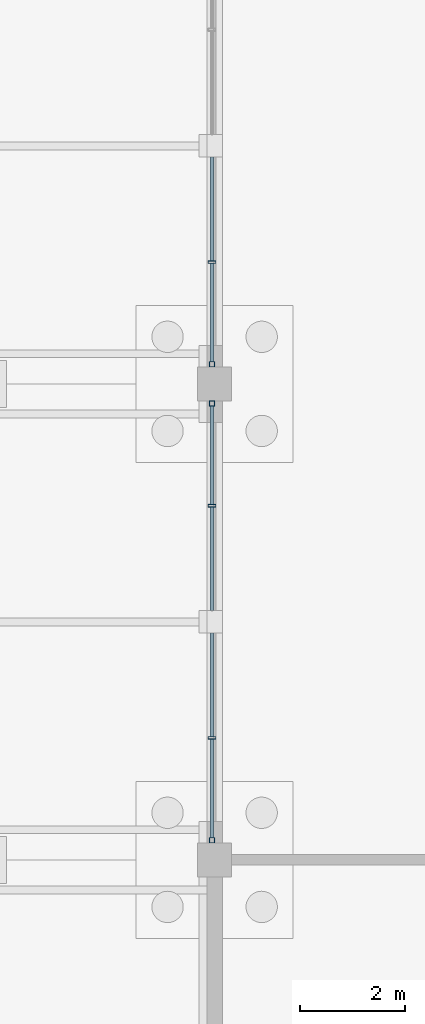
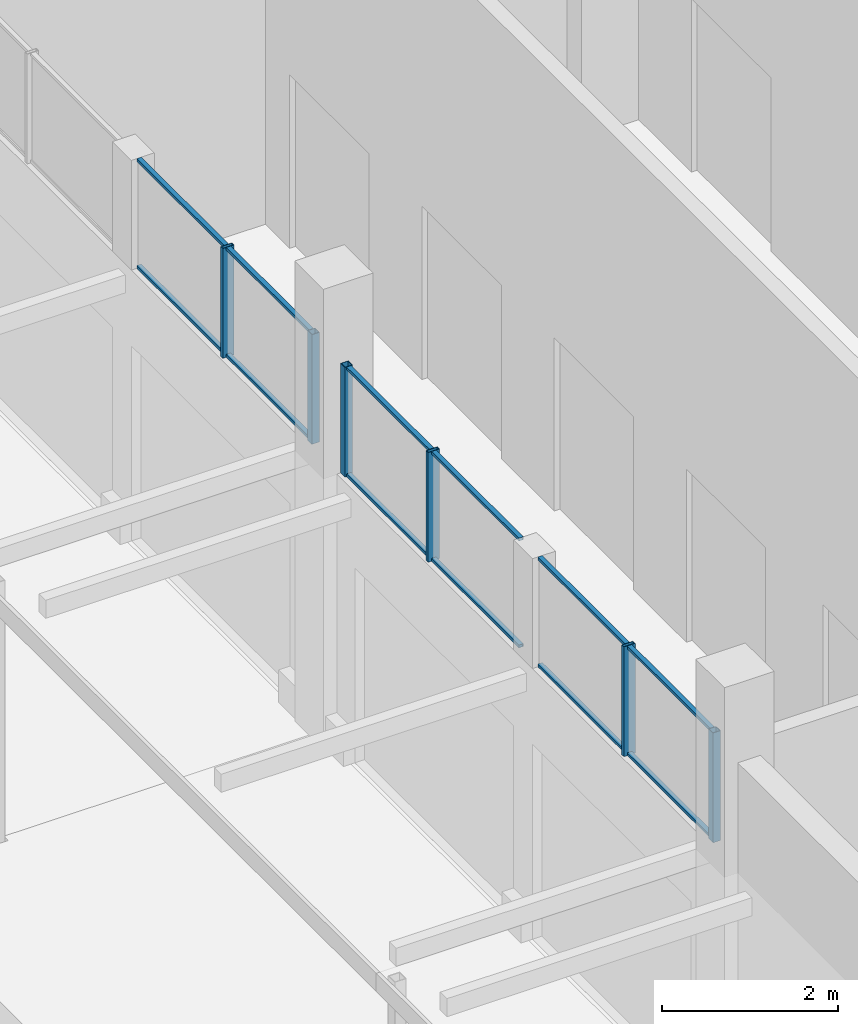
# One storey, part 49 of 129: 18 members, 3 elements without a shape of their own.
"""IFC4 building model written with IfcOpenShell, lengths in metres."""

from ifc_helpers import new_model, si_unit, direction, frame, origin, origin_2d, place, context, subcontext, project, spatial, hollow_rectangle, extrude, material, layer, layer_set, material_profile, profile_set, type_object, element, aggregate, save


model = new_model("IFC4")

# Units and contexts
model_context = context("Model", 3, precision=1e-05, world=origin(), true_north=direction((0.0, 1.0)))
body_context = subcontext(model_context, "Body", "Model", "MODEL_VIEW")
ifc_project = project(units=[si_unit("LENGTHUNIT", "METRE"), si_unit("AREAUNIT", "SQUARE_METRE"), si_unit("VOLUMEUNIT", "CUBIC_METRE"), si_unit("PLANEANGLEUNIT", "RADIAN"), si_unit("MASSUNIT", "GRAM", prefix="KILO")], contexts=[model_context])

# Site, building, storey
site_placement = place(None, origin())
site = spatial("IfcSite", under=ifc_project, at=site_placement, CompositionType="ELEMENT")
building_placement = place(site_placement, origin())
building = spatial("IfcBuilding", under=site, at=building_placement, Name="Shirokan Park Arena", CompositionType="ELEMENT")
storey_placement = place(building_placement, origin())
storey = spatial("IfcBuildingStorey", under=building, at=storey_placement, Name="L00", CompositionType="ELEMENT", Elevation=0.0)

# Curtain wall, member
ifc_material_1 = material(Name="Steel and glass curtain wall", Category="steel")
ifc_layer = layer(ifc_material_1, 0.199951171875)
ifc_layer_set = layer_set([ifc_layer], Name="Steel and glass curtain wall 200 mm")
curtain_wall_type = type_object("IfcCurtainWallType", Name="Curtain wall shopfront bay 200", PredefinedType="NOTDEFINED", material=ifc_layer_set)
curtain_wall_1_placement = place(storey_placement, origin())
curtain_wall_1 = element("IfcCurtainWall", 1, at=curtain_wall_1_placement, inside=storey, type_object=curtain_wall_type, Name="Curtain wall west bay 6 L00 clerestory 2", PredefinedType="NOTDEFINED")
ifc_material_2 = material(Name="Steel S355", Category="steel")
ifc_material_profile_1 = material_profile(ifc_material_2, hollow_rectangle(XDim=0.10009765625, YDim=0.10009765625, WallThickness=0.006103515625, at=origin_2d()), Name="RHS 100x100x6")
ifc_profile_set_1 = profile_set([ifc_material_profile_1], Name="Steel S355")
member_type_1 = type_object("IfcMemberType", Name="Mullion RHS 100x100x6", PredefinedType="MULLION", material=ifc_profile_set_1)
member_1_placement = place(storey_placement, frame((-0.050048828125, 54.97509765625, 3.75), z_axis=(0.0, 0.0, 1.0), x_axis=(1.0, 0.0, 0.0)))
member_1 = element("IfcMember", 2, at=member_1_placement, type_object=member_type_1, Name="CW4 mullion 3", PredefinedType="MULLION", context=body_context, shape_type="SweptSolid", body=[
    extrude(hollow_rectangle(XDim=0.10009765625, YDim=0.10009765625, WallThickness=0.006103515625, at=origin_2d()), origin(), (0.0, 0.0, 1.0), 1.52001953125),
])

curtain_wall_2_placement = place(storey_placement, origin())
curtain_wall_2 = element("IfcCurtainWall", 3, at=curtain_wall_2_placement, inside=storey, type_object=curtain_wall_type, Name="Curtain wall west bay 7 L00 clerestory 1", PredefinedType="NOTDEFINED")
member_2_placement = place(storey_placement, frame((-0.050048828125, 54.22509765625, 3.75), z_axis=(0.0, 0.0, 1.0), x_axis=(1.0, 0.0, 0.0)))
member_2 = element("IfcMember", 4, at=member_2_placement, type_object=member_type_1, Name="CW4 mullion 1", PredefinedType="MULLION", context=body_context, shape_type="SweptSolid", body=[
    extrude(hollow_rectangle(XDim=0.10009765625, YDim=0.10009765625, WallThickness=0.006103515625, at=origin_2d()), origin(), (0.0, 0.0, 1.0), 1.52001953125),
])

curtain_wall_3_placement = place(storey_placement, origin())
curtain_wall_3 = element("IfcCurtainWall", 5, at=curtain_wall_3_placement, inside=storey, type_object=curtain_wall_type, Name="Curtain wall west bay 7 L00 clerestory 2", PredefinedType="NOTDEFINED")
member_3_placement = place(storey_placement, frame((-0.050048828125, 45.875, 3.75), z_axis=(0.0, 0.0, 1.0), x_axis=(1.0, 0.0, 0.0)))
member_3 = element("IfcMember", 6, at=member_3_placement, type_object=member_type_1, Name="CW4 mullion 3", PredefinedType="MULLION", context=body_context, shape_type="SweptSolid", body=[
    extrude(hollow_rectangle(XDim=0.10009765625, YDim=0.10009765625, WallThickness=0.006103515625, at=origin_2d()), origin(), (0.0, 0.0, 1.0), 1.52001953125),
])

# Member
ifc_material_profile_2 = material_profile(ifc_material_2, hollow_rectangle(XDim=0.14990234375, YDim=0.050048828125, WallThickness=0.006103515625, at=origin_2d()), Name="RHS 150x50x6")
ifc_profile_set_2 = profile_set([ifc_material_profile_2], Name="Steel S355")
member_type_2 = type_object("IfcMemberType", Name="Mullion RHS 150x50x6", PredefinedType="MULLION", material=ifc_profile_set_2)
member_4_placement = place(storey_placement, frame((-0.050048828125, 56.929931640625, 3.75), z_axis=(0.0, 0.0, 1.0), x_axis=(1.0, 0.0, 0.0)))
member_4 = element("IfcMember", 7, at=member_4_placement, type_object=member_type_2, Name="CW4 mullion 2", PredefinedType="MULLION", context=body_context, shape_type="SweptSolid", body=[
    extrude(hollow_rectangle(XDim=0.14990234375, YDim=0.050048828125, WallThickness=0.006103515625, at=origin_2d()), origin(), (0.0, 0.0, 1.0), 1.52001953125),
])

member_5_placement = place(storey_placement, frame((-0.050048828125, 52.27001953125, 3.75), z_axis=(0.0, 0.0, 1.0), x_axis=(1.0, 0.0, 0.0)))
member_5 = element("IfcMember", 8, at=member_5_placement, type_object=member_type_2, Name="CW4 mullion 2", PredefinedType="MULLION", context=body_context, shape_type="SweptSolid", body=[
    extrude(hollow_rectangle(XDim=0.14990234375, YDim=0.050048828125, WallThickness=0.006103515625, at=origin_2d()), origin(), (0.0, 0.0, 1.0), 1.52001953125),
])

member_6_placement = place(storey_placement, frame((-0.050048828125, 47.830078125, 3.75), z_axis=(0.0, 0.0, 1.0), x_axis=(1.0, 0.0, 0.0)))
member_6 = element("IfcMember", 9, at=member_6_placement, type_object=member_type_2, Name="CW4 mullion 2", PredefinedType="MULLION", context=body_context, shape_type="SweptSolid", body=[
    extrude(hollow_rectangle(XDim=0.14990234375, YDim=0.050048828125, WallThickness=0.006103515625, at=origin_2d()), origin(), (0.0, 0.0, 1.0), 1.52001953125),
])

ifc_material_profile_3 = material_profile(ifc_material_2, hollow_rectangle(XDim=0.06005859375, YDim=0.0400390625, WallThickness=0.00390625, at=origin_2d()), Name="RHS 60x40x4")
ifc_profile_set_3 = profile_set([ifc_material_profile_3], Name="Steel S355")
member_type_3 = type_object("IfcMemberType", Name="Transom RHS 60x40x4", PredefinedType="MULLION", material=ifc_profile_set_3)
member_7_placement = place(storey_placement, frame((-0.050048828125, 58.93505859375, 3.77001953125), z_axis=(0.0, -1.0, 0.0), x_axis=(1.0, 0.0, 0.0)))
member_7 = element("IfcMember", 10, at=member_7_placement, type_object=member_type_3, Name="CW4 transom 1.1", PredefinedType="MULLION", context=body_context, shape_type="SweptSolid", body=[
    extrude(hollow_rectangle(XDim=0.06005859375, YDim=0.0400390625, WallThickness=0.00390625, at=origin_2d()), origin(), (0.0, 0.0, 1.0), 1.97998046875),
])

member_8_placement = place(storey_placement, frame((-0.050048828125, 58.93505859375, 5.25), z_axis=(0.0, -1.0, 0.0), x_axis=(1.0, 0.0, 0.0)))
member_8 = element("IfcMember", 11, at=member_8_placement, type_object=member_type_3, Name="CW4 transom 1.2", PredefinedType="MULLION", context=body_context, shape_type="SweptSolid", body=[
    extrude(hollow_rectangle(XDim=0.06005859375, YDim=0.0400390625, WallThickness=0.00390625, at=origin_2d()), origin(), (0.0, 0.0, 1.0), 1.97998046875),
])

member_9_placement = place(storey_placement, frame((-0.050048828125, 56.905029296875, 3.77001953125), z_axis=(0.0, -1.0, 0.0), x_axis=(1.0, 0.0, 0.0)))
member_9 = element("IfcMember", 12, at=member_9_placement, type_object=member_type_3, Name="CW4 transom 2.1", PredefinedType="MULLION", context=body_context, shape_type="SweptSolid", body=[
    extrude(hollow_rectangle(XDim=0.06005859375, YDim=0.0400390625, WallThickness=0.00390625, at=origin_2d()), origin(), (0.0, 0.0, 1.0), 1.880126953125),
])

member_10_placement = place(storey_placement, frame((-0.050048828125, 56.905029296875, 5.25), z_axis=(0.0, -1.0, 0.0), x_axis=(1.0, 0.0, 0.0)))
member_10 = element("IfcMember", 13, at=member_10_placement, type_object=member_type_3, Name="CW4 transom 2.2", PredefinedType="MULLION", context=body_context, shape_type="SweptSolid", body=[
    extrude(hollow_rectangle(XDim=0.06005859375, YDim=0.0400390625, WallThickness=0.00390625, at=origin_2d()), origin(), (0.0, 0.0, 1.0), 1.880126953125),
])

aggregate(curtain_wall_1, [member_4, member_1, member_7, member_8, member_9, member_10])

member_11_placement = place(storey_placement, frame((-0.050048828125, 54.175048828125, 3.77001953125), z_axis=(0.0, -1.0, 0.0), x_axis=(1.0, 0.0, 0.0)))
member_11 = element("IfcMember", 14, at=member_11_placement, type_object=member_type_3, Name="CW4 transom 1.1", PredefinedType="MULLION", context=body_context, shape_type="SweptSolid", body=[
    extrude(hollow_rectangle(XDim=0.06005859375, YDim=0.0400390625, WallThickness=0.00390625, at=origin_2d()), origin(), (0.0, 0.0, 1.0), 1.880126953125),
])

member_12_placement = place(storey_placement, frame((-0.050048828125, 54.175048828125, 5.25), z_axis=(0.0, -1.0, 0.0), x_axis=(1.0, 0.0, 0.0)))
member_12 = element("IfcMember", 15, at=member_12_placement, type_object=member_type_3, Name="CW4 transom 1.2", PredefinedType="MULLION", context=body_context, shape_type="SweptSolid", body=[
    extrude(hollow_rectangle(XDim=0.06005859375, YDim=0.0400390625, WallThickness=0.00390625, at=origin_2d()), origin(), (0.0, 0.0, 1.0), 1.880126953125),
])

member_13_placement = place(storey_placement, frame((-0.050048828125, 52.2451171875, 3.77001953125), z_axis=(0.0, -1.0, 0.0), x_axis=(1.0, 0.0, 0.0)))
member_13 = element("IfcMember", 16, at=member_13_placement, type_object=member_type_3, Name="CW4 transom 2.1", PredefinedType="MULLION", context=body_context, shape_type="SweptSolid", body=[
    extrude(hollow_rectangle(XDim=0.06005859375, YDim=0.0400390625, WallThickness=0.00390625, at=origin_2d()), origin(), (0.0, 0.0, 1.0), 1.980224609375),
])

member_14_placement = place(storey_placement, frame((-0.050048828125, 52.2451171875, 5.25), z_axis=(0.0, -1.0, 0.0), x_axis=(1.0, 0.0, 0.0)))
member_14 = element("IfcMember", 17, at=member_14_placement, type_object=member_type_3, Name="CW4 transom 2.2", PredefinedType="MULLION", context=body_context, shape_type="SweptSolid", body=[
    extrude(hollow_rectangle(XDim=0.06005859375, YDim=0.0400390625, WallThickness=0.00390625, at=origin_2d()), origin(), (0.0, 0.0, 1.0), 1.980224609375),
])

aggregate(curtain_wall_2, [member_2, member_5, member_11, member_12, member_13, member_14])

member_15_placement = place(storey_placement, frame((-0.050048828125, 49.8349609375, 3.77001953125), z_axis=(0.0, -1.0, 0.0), x_axis=(1.0, 0.0, 0.0)))
member_15 = element("IfcMember", 18, at=member_15_placement, type_object=member_type_3, Name="CW4 transom 1.1", PredefinedType="MULLION", context=body_context, shape_type="SweptSolid", body=[
    extrude(hollow_rectangle(XDim=0.06005859375, YDim=0.0400390625, WallThickness=0.00390625, at=origin_2d()), origin(), (0.0, 0.0, 1.0), 1.97998046875),
])

member_16_placement = place(storey_placement, frame((-0.050048828125, 49.8349609375, 5.25), z_axis=(0.0, -1.0, 0.0), x_axis=(1.0, 0.0, 0.0)))
member_16 = element("IfcMember", 19, at=member_16_placement, type_object=member_type_3, Name="CW4 transom 1.2", PredefinedType="MULLION", context=body_context, shape_type="SweptSolid", body=[
    extrude(hollow_rectangle(XDim=0.06005859375, YDim=0.0400390625, WallThickness=0.00390625, at=origin_2d()), origin(), (0.0, 0.0, 1.0), 1.97998046875),
])

member_17_placement = place(storey_placement, frame((-0.050048828125, 47.804931640625, 3.77001953125), z_axis=(0.0, -1.0, 0.0), x_axis=(1.0, 0.0, 0.0)))
member_17 = element("IfcMember", 20, at=member_17_placement, type_object=member_type_3, Name="CW4 transom 2.1", PredefinedType="MULLION", context=body_context, shape_type="SweptSolid", body=[
    extrude(hollow_rectangle(XDim=0.06005859375, YDim=0.0400390625, WallThickness=0.00390625, at=origin_2d()), origin(), (0.0, 0.0, 1.0), 1.8798828125),
])

member_18_placement = place(storey_placement, frame((-0.050048828125, 47.804931640625, 5.25), z_axis=(0.0, -1.0, 0.0), x_axis=(1.0, 0.0, 0.0)))
member_18 = element("IfcMember", 21, at=member_18_placement, type_object=member_type_3, Name="CW4 transom 2.2", PredefinedType="MULLION", context=body_context, shape_type="SweptSolid", body=[
    extrude(hollow_rectangle(XDim=0.06005859375, YDim=0.0400390625, WallThickness=0.00390625, at=origin_2d()), origin(), (0.0, 0.0, 1.0), 1.8798828125),
])

aggregate(curtain_wall_3, [member_6, member_3, member_15, member_16, member_17, member_18])

save(model, "model.ifc")
